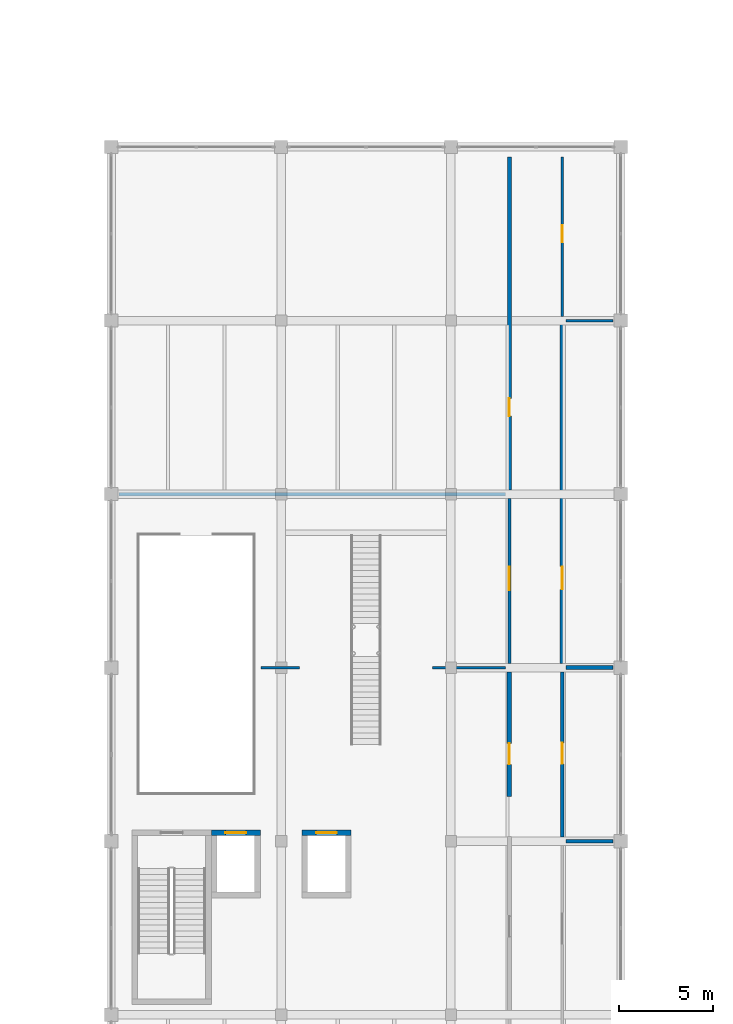
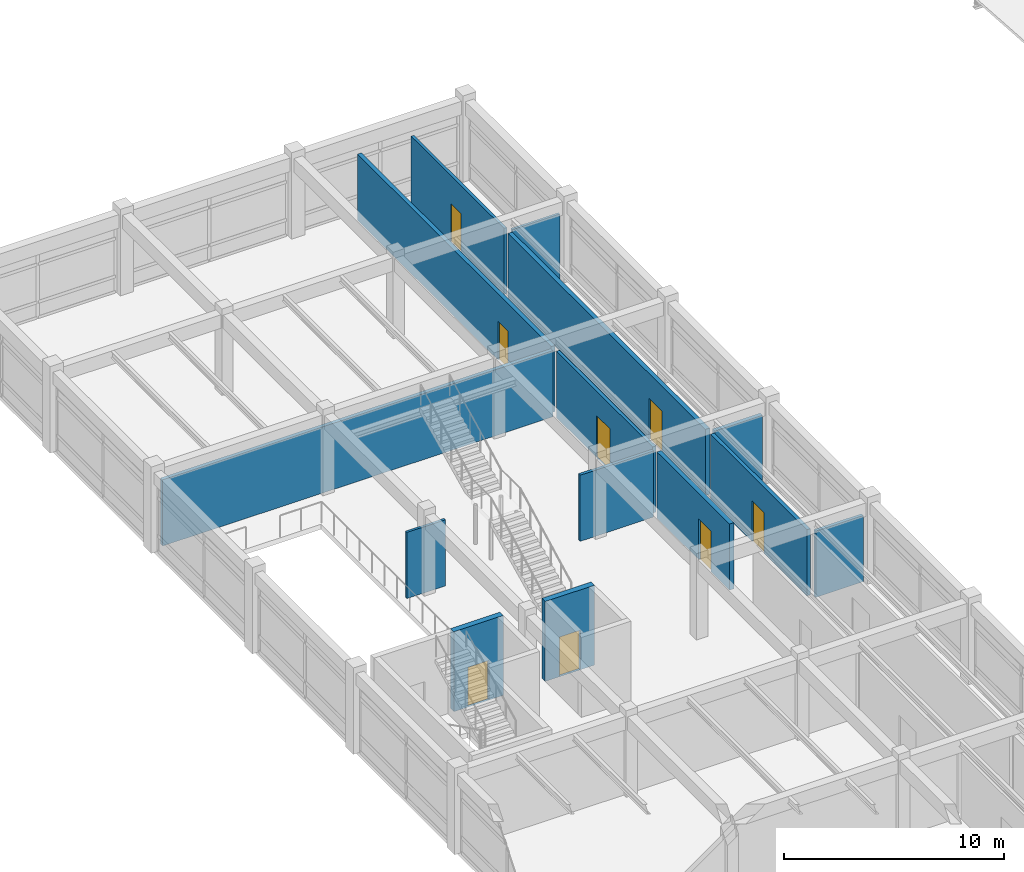
# One storey, part 74 of 90: 14 walls, 8 doors, 8 openings.
"""IFC4 building model written with IfcOpenShell, lengths in metres."""

from ifc_helpers import new_model, si_unit, direction, frame, frame_2d, origin, place, context, subcontext, project, spatial, rectangle, extrude, material, layer, layer_set, type_object, element, fill, save


model = new_model("IFC4")

# Units and contexts
model_context = context("Model", 3, precision=1e-05, world=origin(), true_north=direction((0.0, 1.0)))
body_context = subcontext(model_context, "Body", "Model", "MODEL_VIEW")
ifc_project = project(units=[si_unit("LENGTHUNIT", "METRE"), si_unit("AREAUNIT", "SQUARE_METRE"), si_unit("VOLUMEUNIT", "CUBIC_METRE"), si_unit("PLANEANGLEUNIT", "RADIAN"), si_unit("MASSUNIT", "GRAM", prefix="KILO")], contexts=[model_context])

# Site, building, storey
site_placement = place(None, origin())
site = spatial("IfcSite", under=ifc_project, at=site_placement, CompositionType="ELEMENT")
building_placement = place(site_placement, origin())
building = spatial("IfcBuilding", under=site, at=building_placement, Name="Bozkorgan Art Gallery", CompositionType="ELEMENT")
storey_placement = place(building_placement, frame((0.0, 0.0, 5.39990234375)))
storey = spatial("IfcBuildingStorey", under=building, at=storey_placement, Name="L01", CompositionType="ELEMENT", Elevation=5.39990234375)

# Wall, opening, door
ifc_material_1 = material(Name="Concrete C40/50", Category="concrete")
ifc_layer_1 = layer(ifc_material_1, 0.300048828125, Name="Concrete C40/50")
ifc_layer_set_1 = layer_set([ifc_layer_1], Name="Concrete C40/50")
wall_type_1 = type_object("IfcWallType", Name="IWALL-CW-44", PredefinedType="SHEAR", material=ifc_layer_set_1)
wall_1_placement = place(storey_placement, frame((79.300048828125, 66.449951171875, 0.0), z_axis=(0.0, 0.0, 1.0), x_axis=(1.0, 0.0, 0.0)))
wall_1 = element("IfcWall", 1, at=wall_1_placement, inside=storey, type_object=wall_type_1, Name="PL2 L01 shaft front shear wall", PredefinedType="SHEAR", context=body_context, shape_type="SweptSolid", body=[
    extrude(rectangle(XDim=2.599853515625, YDim=0.300048828125, at=frame_2d((1.2998046875, 0.0))), origin(), (0.0, 0.0, 1.0), 4.440185546875),
])
opening_1_placement = place(wall_1_placement, frame((0.75, 0.0, 0.0)))
opening_1 = element("IfcOpeningElement", 2, at=opening_1_placement, cuts=wall_1, Name="Opening LD-25", PredefinedType="OPENING", context=body_context, shape_type="SweptSolid", body=[
    extrude(rectangle(XDim=1.10009765625, YDim=2.199951171875, at=frame_2d((0.550048828125, 1.10009765625))), frame((0.0, 0.16015625, 0.0), z_axis=(0.0, -1.0, 0.0), x_axis=(1.0, 0.0, 0.0)), (0.0, 0.0, 1.0), 0.320068359375),
])
ifc_material_2 = material(Name="Steel S355J2", Category="steel")
door_type_1 = type_object("IfcDoorType", Name="IDOOR-LD-25", OperationType="NOTDEFINED", PredefinedType="DOOR", material=ifc_material_2)
door_1_placement = place(opening_1_placement, origin())
door_1 = element("IfcDoor", 3, at=door_1_placement, inside=storey, type_object=door_type_1, Name="LD-PL2-L01 Lift Landing Door", OperationType="SLIDING_TO_LEFT", OverallHeight=2.199951171875, OverallWidth=1.10009765625, PredefinedType="DOOR", context=body_context, shape_type="SweptSolid", body=[
    extrude(rectangle(XDim=1.10009765625, YDim=2.199951171875, at=frame_2d((0.550048828125, 1.10009765625))), frame((0.0, 0.02490234375, 0.0), z_axis=(0.0, -1.0, 0.0), x_axis=(1.0, 0.0, 0.0)), (0.0, 0.0, 1.0), 0.050048828125),
])
fill(opening_1, door_1)

wall_2_placement = place(storey_placement, frame((84.10009765625, 66.449951171875, 0.0), z_axis=(0.0, 0.0, 1.0), x_axis=(1.0, 0.0, 0.0)))
wall_2 = element("IfcWall", 4, at=wall_2_placement, inside=storey, type_object=wall_type_1, Name="PL3 L01 shaft front shear wall", PredefinedType="SHEAR", context=body_context, shape_type="SweptSolid", body=[
    extrude(rectangle(XDim=2.599853515625, YDim=0.300048828125, at=frame_2d((1.2998046875, 0.0))), origin(), (0.0, 0.0, 1.0), 4.440185546875),
])
opening_2_placement = place(wall_2_placement, frame((0.75, 0.0, 0.0)))
opening_2 = element("IfcOpeningElement", 5, at=opening_2_placement, cuts=wall_2, Name="Opening LD-75", PredefinedType="OPENING", context=body_context, shape_type="SweptSolid", body=[
    extrude(rectangle(XDim=1.10009765625, YDim=2.199951171875, at=frame_2d((0.550048828125, 1.10009765625))), frame((0.0, 0.16015625, 0.0), z_axis=(0.0, -1.0, 0.0), x_axis=(1.0, 0.0, 0.0)), (0.0, 0.0, 1.0), 0.320068359375),
])
door_type_2 = type_object("IfcDoorType", Name="IDOOR-LD-75", OperationType="NOTDEFINED", PredefinedType="DOOR", material=ifc_material_2)
door_2_placement = place(opening_2_placement, origin())
door_2 = element("IfcDoor", 6, at=door_2_placement, inside=storey, type_object=door_type_2, Name="LD-PL3-L01 Lift Landing Door", OperationType="SLIDING_TO_RIGHT", OverallHeight=2.199951171875, OverallWidth=1.10009765625, PredefinedType="DOOR", context=body_context, shape_type="SweptSolid", body=[
    extrude(rectangle(XDim=1.10009765625, YDim=2.199951171875, at=frame_2d((0.550048828125, 1.10009765625))), frame((0.0, 0.02490234375, 0.0), z_axis=(0.0, -1.0, 0.0), x_axis=(1.0, 0.0, 0.0)), (0.0, 0.0, 1.0), 0.050048828125),
])
fill(opening_2, door_2)

ifc_material_3 = material(Name="Acoustic Gypsum & Mineral Wool Partition")
ifc_layer_2 = layer(ifc_material_3, 0.22998046875, Name="Acoustic Gypsum & Mineral Wool Partition")
ifc_layer_set_2 = layer_set([ifc_layer_2], Name="Acoustic Gypsum & Mineral Wool Partition")
wall_type_2 = type_object("IfcWallType", Name="IWALL-PR-08", PredefinedType="PARTITIONING", material=ifc_layer_set_2)
wall_3_placement = place(storey_placement, frame((95.10009765625, 68.3701171875, 0.0), z_axis=(0.0, 0.0, 1.0), x_axis=(0.0, 1.0, 0.0)))
wall_3 = element("IfcWall", 7, at=wall_3_placement, inside=storey, type_object=wall_type_2, Name="V4 L01 acoustic partition wall 215", PredefinedType="PARTITIONING", context=body_context, shape_type="SweptSolid", body=[
    extrude(rectangle(XDim=6.60986328125, YDim=0.22998046875, at=frame_2d((3.304931640625, 0.0))), origin(), (0.0, 0.0, 1.0), 3.675048828125),
])
opening_3_placement = place(wall_3_placement, frame((2.822998046875, 0.0, 0.0), z_axis=(0.0, 0.0, 1.0), x_axis=(-1.0, 0.0, 0.0)))
opening_3 = element("IfcOpeningElement", 8, at=opening_3_placement, cuts=wall_3, Name="Opening FD-89", PredefinedType="OPENING", context=body_context, shape_type="SweptSolid", body=[
    extrude(rectangle(XDim=1.1201171875, YDim=2.260009765625, at=frame_2d((0.56005859375, 1.1298828125))), frame((0.0, 0.125, 0.0), z_axis=(0.0, -1.0, 0.0), x_axis=(1.0, 0.0, 0.0)), (0.0, 0.0, 1.0), 0.25),
])
ifc_material_4 = material(Name="Oiled European Oak Joinery")
door_type_3 = type_object("IfcDoorType", Name="IDOOR-FD-89", OperationType="NOTDEFINED", PredefinedType="DOOR", material=ifc_material_4)
door_3_placement = place(opening_3_placement, origin())
door_3 = element("IfcDoor", 9, at=door_3_placement, inside=storey, type_object=door_type_3, Name="Sculpture Overlook Promenade Door", OperationType="SINGLE_SWING_LEFT", OverallHeight=2.260009765625, OverallWidth=1.1201171875, PredefinedType="DOOR", context=body_context, shape_type="SweptSolid", body=[
    extrude(rectangle(XDim=1.1201171875, YDim=2.260009765625, at=frame_2d((0.56005859375, 1.1298828125))), frame((0.0, 0.02490234375, 0.0), z_axis=(0.0, -1.0, 0.0), x_axis=(1.0, 0.0, 0.0)), (0.0, 0.0, 1.0), 0.050048828125),
])
fill(opening_3, door_3)

wall_4_placement = place(storey_placement, frame((97.89990234375, 75.419921875, 0.0), z_axis=(0.0, 0.0, 1.0), x_axis=(0.0, 1.0, 0.0)))
wall_4 = element("IfcWall", 10, at=wall_4_placement, inside=storey, type_object=wall_type_2, Name="V4 L01 acoustic partition wall 227", PredefinedType="PARTITIONING", context=body_context, shape_type="SweptSolid", body=[
    extrude(rectangle(XDim=17.9599609375, YDim=0.22998046875, at=frame_2d((8.97998046875, 0.0))), origin(), (0.0, 0.0, 1.0), 3.675048828125),
])
opening_4_placement = place(wall_4_placement, frame((3.935546875, 0.0, 0.0)))
opening_4 = element("IfcOpeningElement", 11, at=opening_4_placement, cuts=wall_4, Name="Opening FD-05", PredefinedType="OPENING", context=body_context, shape_type="SweptSolid", body=[
    extrude(rectangle(XDim=1.199951171875, YDim=2.300048828125, at=frame_2d((0.60009765625, 1.14990234375))), frame((0.0, 0.125, 0.0), z_axis=(0.0, -1.0, 0.0), x_axis=(1.0, 0.0, 0.0)), (0.0, 0.0, 1.0), 0.25),
])
door_type_4 = type_object("IfcDoorType", Name="IDOOR-FD-05", OperationType="NOTDEFINED", PredefinedType="DOOR", material=ifc_material_4)
door_4_placement = place(opening_4_placement, origin())
door_4 = element("IfcDoor", 12, at=door_4_placement, inside=storey, type_object=door_type_4, Name="Sculpture Overlook Promenade Door", OperationType="SINGLE_SWING_LEFT", OverallHeight=2.300048828125, OverallWidth=1.199951171875, PredefinedType="DOOR", context=body_context, shape_type="SweptSolid", body=[
    extrude(rectangle(XDim=1.199951171875, YDim=2.300048828125, at=frame_2d((0.60009765625, 1.14990234375))), frame((0.0, 0.02490234375, 0.0), z_axis=(0.0, -1.0, 0.0), x_axis=(1.0, 0.0, 0.0)), (0.0, 0.0, 1.0), 0.050048828125),
])
fill(opening_4, door_4)

ifc_layer_3 = layer(ifc_material_3, 0.2099609375, Name="Acoustic Gypsum & Mineral Wool Partition")
ifc_layer_set_3 = layer_set([ifc_layer_3], Name="Acoustic Gypsum & Mineral Wool Partition")
wall_type_3 = type_object("IfcWallType", Name="IWALL-PR-38", PredefinedType="PARTITIONING", material=ifc_layer_set_3)
wall_5_placement = place(storey_placement, frame((95.10009765625, 84.6201171875, 0.0), z_axis=(0.0, 0.0, 1.0), x_axis=(0.0, 1.0, 0.0)))
wall_5 = element("IfcWall", 13, at=wall_5_placement, inside=storey, type_object=wall_type_3, Name="V4 L01 acoustic partition wall 220", PredefinedType="PARTITIONING", context=body_context, shape_type="SweptSolid", body=[
    extrude(rectangle(XDim=17.639892578125, YDim=0.2099609375, at=frame_2d((8.81982421875, 0.0))), origin(), (0.0, 0.0, 1.0), 3.675048828125),
])
opening_5_placement = place(wall_5_placement, frame((4.85888671875, 0.0, 0.0), z_axis=(0.0, 0.0, 1.0), x_axis=(-1.0, 0.0, 0.0)))
opening_5 = element("IfcOpeningElement", 14, at=opening_5_placement, cuts=wall_5, Name="Opening FD-92", PredefinedType="OPENING", context=body_context, shape_type="SweptSolid", body=[
    extrude(rectangle(XDim=0.949951171875, YDim=2.14990234375, at=frame_2d((0.47509765625, 1.074951171875))), frame((0.0, 0.114990234375, 0.0), z_axis=(0.0, -1.0, 0.0), x_axis=(1.0, 0.0, 0.0)), (0.0, 0.0, 1.0), 0.22998046875),
])
door_type_5 = type_object("IfcDoorType", Name="IDOOR-FD-92", OperationType="NOTDEFINED", PredefinedType="DOOR", material=ifc_material_4)
door_5_placement = place(opening_5_placement, origin())
door_5 = element("IfcDoor", 15, at=door_5_placement, inside=storey, type_object=door_type_5, Name="Collection Archive Room Door", OperationType="SINGLE_SWING_LEFT", OverallHeight=2.14990234375, OverallWidth=0.949951171875, PredefinedType="DOOR", context=body_context, shape_type="SweptSolid", body=[
    extrude(rectangle(XDim=0.949951171875, YDim=2.14990234375, at=frame_2d((0.47509765625, 1.074951171875))), frame((0.0, 0.02490234375, 0.0), z_axis=(0.0, -1.0, 0.0), x_axis=(1.0, 0.0, 0.0)), (0.0, 0.0, 1.0), 0.050048828125),
])
fill(opening_5, door_5)

ifc_layer_4 = layer(ifc_material_3, 0.169921875, Name="Acoustic Gypsum & Mineral Wool Partition")
ifc_layer_set_4 = layer_set([ifc_layer_4], Name="Acoustic Gypsum & Mineral Wool Partition")
wall_type_4 = type_object("IfcWallType", Name="IWALL-PR-40", PredefinedType="PARTITIONING", material=ifc_layer_set_4)
wall_6_placement = place(storey_placement, frame((95.10009765625, 75.419921875, 0.0), z_axis=(0.0, 0.0, 1.0), x_axis=(0.0, 1.0, 0.0)))
wall_6 = element("IfcWall", 16, at=wall_6_placement, inside=storey, type_object=wall_type_4, Name="V4 L01 acoustic partition wall 218", PredefinedType="PARTITIONING", context=body_context, shape_type="SweptSolid", body=[
    extrude(rectangle(XDim=8.760009765625, YDim=0.169921875, at=frame_2d((4.3798828125, 0.0))), origin(), (0.0, 0.0, 1.0), 3.675048828125),
])
opening_6_placement = place(wall_6_placement, frame((5.119873046875, 0.0, 0.0), z_axis=(0.0, 0.0, 1.0), x_axis=(-1.0, 0.0, 0.0)))
opening_6 = element("IfcOpeningElement", 17, at=opening_6_placement, cuts=wall_6, Name="Opening FD-40", PredefinedType="OPENING", context=body_context, shape_type="SweptSolid", body=[
    extrude(rectangle(XDim=1.239990234375, YDim=2.320068359375, at=frame_2d((0.6201171875, 1.16015625))), frame((0.0, 0.094970703125, 0.0), z_axis=(0.0, -1.0, 0.0), x_axis=(1.0, 0.0, 0.0)), (0.0, 0.0, 1.0), 0.18994140625),
])
door_type_6 = type_object("IfcDoorType", Name="IDOOR-FD-40", OperationType="NOTDEFINED", PredefinedType="DOOR", material=ifc_material_4)
door_6_placement = place(opening_6_placement, origin())
door_6 = element("IfcDoor", 18, at=door_6_placement, inside=storey, type_object=door_type_6, Name="Pastry Preparation Kitchen Door", OperationType="SINGLE_SWING_RIGHT", OverallHeight=2.320068359375, OverallWidth=1.239990234375, PredefinedType="DOOR", context=body_context, shape_type="SweptSolid", body=[
    extrude(rectangle(XDim=1.239990234375, YDim=2.320068359375, at=frame_2d((0.6201171875, 1.16015625))), frame((0.0, 0.02490234375, 0.0), z_axis=(0.0, -1.0, 0.0), x_axis=(1.0, 0.0, 0.0)), (0.0, 0.0, 1.0), 0.050048828125),
])
fill(opening_6, door_6)

ifc_layer_5 = layer(ifc_material_3, 0.14990234375, Name="Acoustic Gypsum & Mineral Wool Partition")
ifc_layer_set_5 = layer_set([ifc_layer_5], Name="Acoustic Gypsum & Mineral Wool Partition")
wall_type_5 = type_object("IfcWallType", Name="IWALL-PR-55", PredefinedType="PARTITIONING", material=ifc_layer_set_5)
wall_7_placement = place(storey_placement, frame((97.89990234375, 93.820068359375, 0.0), z_axis=(0.0, 0.0, 1.0), x_axis=(0.0, 1.0, 0.0)))
wall_7 = element("IfcWall", 19, at=wall_7_placement, inside=storey, type_object=wall_type_5, Name="V4 L01 acoustic partition wall 229", PredefinedType="PARTITIONING", context=body_context, shape_type="SweptSolid", body=[
    extrude(rectangle(XDim=8.43994140625, YDim=0.14990234375, at=frame_2d((4.219970703125, 0.0))), origin(), (0.0, 0.0, 1.0), 3.675048828125),
])
opening_7_placement = place(wall_7_placement, frame((3.921142578125, 0.0, 0.0)))
opening_7 = element("IfcOpeningElement", 20, at=opening_7_placement, cuts=wall_7, Name="Opening FD-12", PredefinedType="OPENING", context=body_context, shape_type="SweptSolid", body=[
    extrude(rectangle(XDim=0.919921875, YDim=2.1201171875, at=frame_2d((0.4599609375, 1.06005859375))), frame((0.0, 0.0849609375, 0.0), z_axis=(0.0, -1.0, 0.0), x_axis=(1.0, 0.0, 0.0)), (0.0, 0.0, 1.0), 0.169921875),
])
door_type_7 = type_object("IfcDoorType", Name="IDOOR-FD-12", OperationType="NOTDEFINED", PredefinedType="DOOR", material=ifc_material_4)
door_7_placement = place(opening_7_placement, origin())
door_7 = element("IfcDoor", 21, at=door_7_placement, inside=storey, type_object=door_type_7, Name="Pastry Preparation Kitchen Door", OperationType="SINGLE_SWING_RIGHT", OverallHeight=2.1201171875, OverallWidth=0.919921875, PredefinedType="DOOR", context=body_context, shape_type="SweptSolid", body=[
    extrude(rectangle(XDim=0.919921875, YDim=2.1201171875, at=frame_2d((0.4599609375, 1.06005859375))), frame((0.0, 0.02490234375, 0.0), z_axis=(0.0, -1.0, 0.0), x_axis=(1.0, 0.0, 0.0)), (0.0, 0.0, 1.0), 0.050048828125),
])
fill(opening_7, door_7)

ifc_layer_6 = layer(ifc_material_3, 0.18994140625, Name="Acoustic Gypsum & Mineral Wool Partition")
ifc_layer_set_6 = layer_set([ifc_layer_6], Name="Acoustic Gypsum & Mineral Wool Partition")
wall_type_6 = type_object("IfcWallType", Name="IWALL-PR-66", PredefinedType="PARTITIONING", material=ifc_layer_set_6)
wall_8_placement = place(storey_placement, frame((97.89990234375, 66.219970703125, 0.0), z_axis=(0.0, 0.0, 1.0), x_axis=(0.0, 1.0, 0.0)))
wall_8 = element("IfcWall", 22, at=wall_8_placement, inside=storey, type_object=wall_type_6, Name="V4 L01 acoustic partition wall 225", PredefinedType="PARTITIONING", context=body_context, shape_type="SweptSolid", body=[
    extrude(rectangle(XDim=8.760009765625, YDim=0.18994140625, at=frame_2d((4.3798828125, 0.0))), origin(), (0.0, 0.0, 1.0), 3.675048828125),
])
opening_8_placement = place(wall_8_placement, frame((3.8798828125, 0.0, 0.0)))
opening_8 = element("IfcOpeningElement", 23, at=opening_8_placement, cuts=wall_8, Name="Opening FD-89", PredefinedType="OPENING", context=body_context, shape_type="SweptSolid", body=[
    extrude(rectangle(XDim=1.1201171875, YDim=2.260009765625, at=frame_2d((0.56005859375, 1.1298828125))), frame((0.0, 0.10498046875, 0.0), z_axis=(0.0, -1.0, 0.0), x_axis=(1.0, 0.0, 0.0)), (0.0, 0.0, 1.0), 0.2099609375),
])
door_8_placement = place(opening_8_placement, origin())
door_8 = element("IfcDoor", 24, at=door_8_placement, inside=storey, type_object=door_type_3, Name="Server Pantry Kitchen Door", OperationType="SINGLE_SWING_RIGHT", OverallHeight=2.260009765625, OverallWidth=1.1201171875, PredefinedType="DOOR", context=body_context, shape_type="SweptSolid", body=[
    extrude(rectangle(XDim=1.1201171875, YDim=2.260009765625, at=frame_2d((0.56005859375, 1.1298828125))), frame((0.0, 0.02490234375, 0.0), z_axis=(0.0, -1.0, 0.0), x_axis=(1.0, 0.0, 0.0)), (0.0, 0.0, 1.0), 0.050048828125),
])
fill(opening_8, door_8)

# Walls
ifc_layer_7 = layer(ifc_material_3, 0.169921875, Name="Acoustic Gypsum & Mineral Wool Partition")
ifc_layer_set_7 = layer_set([ifc_layer_7], Name="Acoustic Gypsum & Mineral Wool Partition")
wall_type_7 = type_object("IfcWallType", Name="IWALL-PW-02", PredefinedType="PARTITIONING", material=ifc_layer_set_7)
wall_9_placement = place(storey_placement, frame((98.10009765625, 66.0, 0.0), z_axis=(0.0, 0.0, 1.0), x_axis=(1.0, 0.0, 0.0)))
element("IfcWall", 25, at=wall_9_placement, inside=storey, type_object=wall_type_7, Name="V4 L01 acoustic partition wall 224", PredefinedType="PARTITIONING", context=body_context, shape_type="SweptSolid", body=[
    extrude(rectangle(XDim=2.5, YDim=0.169921875, at=frame_2d((1.25, 0.0))), origin(), (0.0, 0.0, 1.0), 3.675048828125),
])
ifc_layer_8 = layer(ifc_material_3, 0.14990234375, Name="Acoustic Gypsum & Mineral Wool Partition")
ifc_layer_set_8 = layer_set([ifc_layer_8], Name="Acoustic Gypsum & Mineral Wool Partition")
wall_type_8 = type_object("IfcWallType", Name="IWALL-PW-17", PredefinedType="PARTITIONING", material=ifc_layer_set_8)
wall_10_placement = place(storey_placement, frame((91.030029296875, 75.199951171875, 0.0), z_axis=(0.0, 0.0, 1.0), x_axis=(1.0, 0.0, 0.0)))
element("IfcWall", 26, at=wall_10_placement, inside=storey, type_object=wall_type_8, Name="V4 L01 acoustic partition wall 217", PredefinedType="PARTITIONING", context=body_context, shape_type="SweptSolid", body=[
    extrude(rectangle(XDim=3.869873046875, YDim=0.14990234375, at=frame_2d((1.93505859375, 0.0))), origin(), (0.0, 0.0, 1.0), 3.675048828125),
])
ifc_layer_9 = layer(ifc_material_3, 0.18994140625, Name="Acoustic Gypsum & Mineral Wool Partition")
ifc_layer_set_9 = layer_set([ifc_layer_9], Name="Acoustic Gypsum & Mineral Wool Partition")
wall_type_9 = type_object("IfcWallType", Name="IWALL-PW-23", PredefinedType="PARTITIONING", material=ifc_layer_set_9)
wall_11_placement = place(storey_placement, frame((74.39990234375, 84.39990234375, 0.0), z_axis=(0.0, 0.0, 1.0), x_axis=(1.0, 0.0, 0.0)))
element("IfcWall", 27, at=wall_11_placement, inside=storey, type_object=wall_type_9, Name="V4 L01 acoustic partition wall 219", PredefinedType="PARTITIONING", context=body_context, shape_type="SweptSolid", body=[
    extrude(rectangle(XDim=20.5, YDim=0.18994140625, at=frame_2d((10.25, 0.0))), origin(), (0.0, 0.0, 1.0), 3.675048828125),
])
ifc_layer_10 = layer(ifc_material_3, 0.2099609375, Name="Acoustic Gypsum & Mineral Wool Partition")
ifc_layer_set_10 = layer_set([ifc_layer_10], Name="Acoustic Gypsum & Mineral Wool Partition")
wall_type_10 = type_object("IfcWallType", Name="IWALL-PW-72", PredefinedType="PARTITIONING", material=ifc_layer_set_10)
wall_12_placement = place(storey_placement, frame((98.10009765625, 75.199951171875, 0.0), z_axis=(0.0, 0.0, 1.0), x_axis=(1.0, 0.0, 0.0)))
element("IfcWall", 28, at=wall_12_placement, inside=storey, type_object=wall_type_10, Name="V4 L01 acoustic partition wall 226", PredefinedType="PARTITIONING", context=body_context, shape_type="SweptSolid", body=[
    extrude(rectangle(XDim=2.5, YDim=0.2099609375, at=frame_2d((1.25, 0.0))), origin(), (0.0, 0.0, 1.0), 3.675048828125),
])
ifc_layer_11 = layer(ifc_material_3, 0.1298828125, Name="Acoustic Gypsum & Mineral Wool Partition")
ifc_layer_set_11 = layer_set([ifc_layer_11], Name="Acoustic Gypsum & Mineral Wool Partition")
wall_type_11 = type_object("IfcWallType", Name="IWALL-PW-97", PredefinedType="PARTITIONING", material=ifc_layer_set_11)
wall_13_placement = place(storey_placement, frame((81.929931640625, 75.199951171875, 0.0), z_axis=(0.0, 0.0, 1.0), x_axis=(1.0, 0.0, 0.0)))
element("IfcWall", 29, at=wall_13_placement, inside=storey, type_object=wall_type_11, Name="V4 L01 acoustic partition wall 216", PredefinedType="PARTITIONING", context=body_context, shape_type="SweptSolid", body=[
    extrude(rectangle(XDim=2.0400390625, YDim=0.1298828125, at=frame_2d((1.02001953125, 0.0))), origin(), (0.0, 0.0, 1.0), 3.675048828125),
])
wall_14_placement = place(storey_placement, frame((98.10009765625, 93.60009765625, 0.0), z_axis=(0.0, 0.0, 1.0), x_axis=(1.0, 0.0, 0.0)))
element("IfcWall", 30, at=wall_14_placement, inside=storey, type_object=wall_type_11, Name="V4 L01 acoustic partition wall 228", PredefinedType="PARTITIONING", context=body_context, shape_type="SweptSolid", body=[
    extrude(rectangle(XDim=2.5, YDim=0.1298828125, at=frame_2d((1.25, 0.0))), origin(), (0.0, 0.0, 1.0), 3.675048828125),
])

save(model, "model.ifc")
